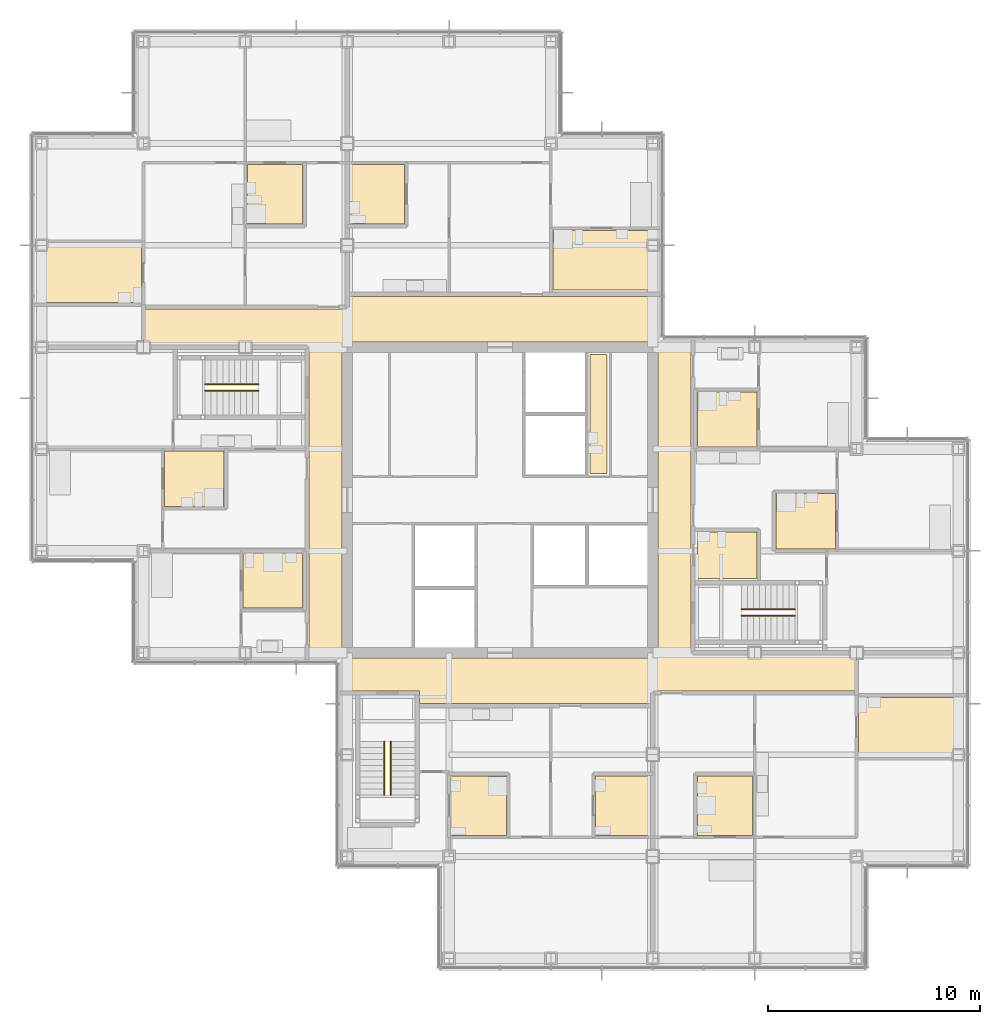
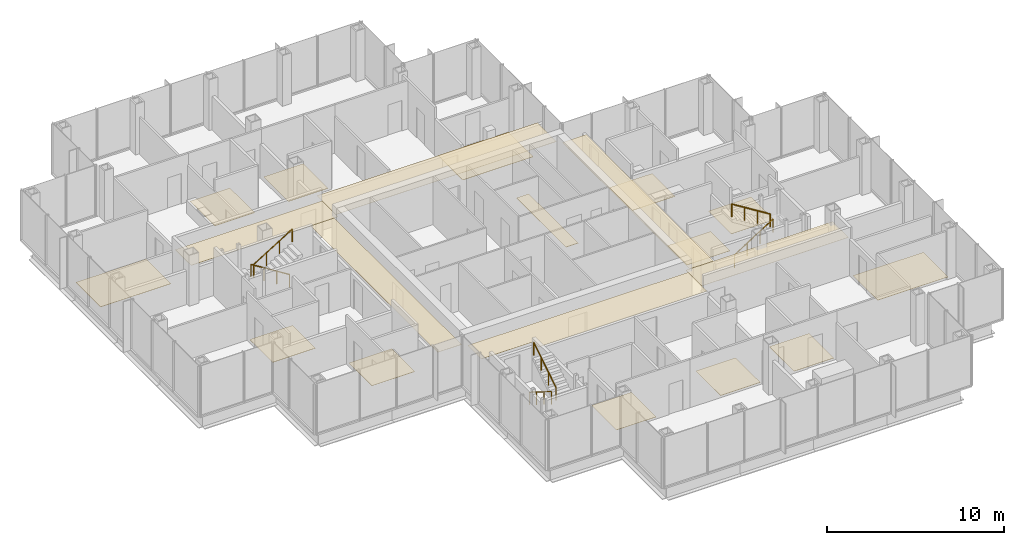
# One storey, part 18 of 20: 20 coverings, 6 railings.
"""IFC4 building model written with IfcOpenShell, lengths in metres."""

from ifc_helpers import new_model, si_unit, direction, frame, origin, origin_2d, place, context, subcontext, project, spatial, polyline, circle, outline, extrude, material, layer, layer_set, type_object, element, save


model = new_model("IFC4")

# Units and contexts
model_context = context("Model", 3, precision=1e-05, world=origin(), true_north=direction((0.0, 1.0)))
body_context = subcontext(model_context, "Body", "Model", "MODEL_VIEW")
ifc_project = project(units=[si_unit("LENGTHUNIT", "METRE"), si_unit("AREAUNIT", "SQUARE_METRE"), si_unit("VOLUMEUNIT", "CUBIC_METRE"), si_unit("PLANEANGLEUNIT", "RADIAN"), si_unit("MASSUNIT", "GRAM", prefix="KILO")], contexts=[model_context])

# Site, building, storey
site_placement = place(None, origin())
site = spatial("IfcSite", under=ifc_project, at=site_placement, CompositionType="ELEMENT")
building_placement = place(site_placement, origin())
building = spatial("IfcBuilding", under=site, at=building_placement, Name="Kvirike Care Tower", CompositionType="ELEMENT")
storey_placement = place(building_placement, frame((0.0, 0.0, 126.0)))
storey = spatial("IfcBuildingStorey", under=building, at=storey_placement, Name="L34", CompositionType="ELEMENT", Elevation=126.0)

# Coverings
ifc_material_1 = material(Name="Perforated metal ceiling tile", Category="aluminium")
ifc_layer_1 = layer(ifc_material_1, 0.014892578125)
ifc_layer_set_1 = layer_set([ifc_layer_1], Name="CORRIDOR CEILING 15")
covering_type_1 = type_object("IfcCoveringType", Name="CORRIDOR CEILING 15", PredefinedType="CEILING", material=ifc_layer_set_1)
covering_1_placement = place(storey_placement, frame((0.0, 0.0, 2.5)))
element("IfcCovering", 1, at=covering_1_placement, inside=storey, type_object=covering_type_1, Name="Corridor ceiling L34", PredefinedType="CEILING", context=body_context, shape_type="SweptSolid", body=[
    extrude(outline(polyline([(12.60009765625, 43.199951171875), (14.14990234375, 43.199951171875), (14.14990234375, 28.800048828125), (12.60009765625, 28.800048828125), (12.60009765625, 43.199951171875)])), origin(), (0.0, 0.0, 1.0), 0.014892578125),
])
covering_2_placement = place(storey_placement, frame((0.0, 0.0, 2.5)))
element("IfcCovering", 2, at=covering_2_placement, inside=storey, type_object=covering_type_1, Name="Corridor ceiling L34", PredefinedType="CEILING", context=body_context, shape_type="SweptSolid", body=[
    extrude(outline(polyline([(14.39990234375, 45.0), (14.39990234375, 43.199951171875), (4.800048828125, 43.199951171875), (4.800048828125, 45.0), (14.39990234375, 45.0)])), origin(), (0.0, 0.0, 1.0), 0.014892578125),
])
covering_3_placement = place(storey_placement, frame((0.0, 0.0, 2.5)))
element("IfcCovering", 3, at=covering_3_placement, inside=storey, type_object=covering_type_1, Name="Corridor ceiling L34", PredefinedType="CEILING", context=body_context, shape_type="SweptSolid", body=[
    extrude(outline(polyline([(14.39990234375, 28.550048828125), (28.800048828125, 28.550048828125), (28.800048828125, 26.39990234375), (17.800048828125, 26.39990234375), (17.800048828125, 27.0), (14.39990234375, 27.0), (14.39990234375, 28.550048828125)])), origin(), (0.0, 0.0, 1.0), 0.014892578125),
])
covering_4_placement = place(storey_placement, frame((0.0, 0.0, 2.5)))
element("IfcCovering", 4, at=covering_4_placement, inside=storey, type_object=covering_type_1, Name="Corridor ceiling L34", PredefinedType="CEILING", context=body_context, shape_type="SweptSolid", body=[
    extrude(outline(polyline([(28.800048828125, 45.60009765625), (28.800048828125, 43.449951171875), (14.39990234375, 43.449951171875), (14.39990234375, 45.60009765625), (28.800048828125, 45.60009765625)])), origin(), (0.0, 0.0, 1.0), 0.014892578125),
])
covering_5_placement = place(storey_placement, frame((0.0, 0.0, 2.5)))
element("IfcCovering", 5, at=covering_5_placement, inside=storey, type_object=covering_type_1, Name="Corridor ceiling L34", PredefinedType="CEILING", context=body_context, shape_type="SweptSolid", body=[
    extrude(outline(polyline([(28.800048828125, 27.0), (28.800048828125, 28.800048828125), (38.39990234375, 28.800048828125), (38.39990234375, 27.0), (28.800048828125, 27.0)])), origin(), (0.0, 0.0, 1.0), 0.014892578125),
])
covering_6_placement = place(storey_placement, frame((0.0, 0.0, 2.5)))
element("IfcCovering", 6, at=covering_6_placement, inside=storey, type_object=covering_type_1, Name="Corridor ceiling L34", PredefinedType="CEILING", context=body_context, shape_type="SweptSolid", body=[
    extrude(outline(polyline([(30.60009765625, 28.800048828125), (29.050048828125, 28.800048828125), (29.050048828125, 43.199951171875), (30.60009765625, 43.199951171875), (30.60009765625, 28.800048828125)])), origin(), (0.0, 0.0, 1.0), 0.014892578125),
])

# Railings
ifc_material_2 = material(Name="Stainless steel handrail", Category="steel")
railing_type = type_object("IfcRailingType", Name="STAIR HANDRAIL 900", PredefinedType="HANDRAIL", material=ifc_material_2)
railing_1_placement = place(storey_placement, frame((10.219970703125, 41.449951171875, 0.175048828125)))
element("IfcRailing", 7, at=railing_1_placement, inside=storey, type_object=railing_type, Name="Stair 1 handrail L34 flight 1", PredefinedType="HANDRAIL", context=body_context, shape_type="SweptSolid", body=[
    extrude(circle(Radius=0.02490234375, at=origin_2d()), frame((0.0, 0.0, 0.875), z_axis=(-0.848007534815, 0.0, 0.529984170421), x_axis=(0.0, -1.0, 0.0)), (0.0, 0.0, 1.0), 2.9716796875),
    extrude(circle(Radius=0.02001953125, at=origin_2d()), origin(), (0.0, 0.0, 1.0), 0.849853515625),
    extrude(circle(Radius=0.02001953125, at=origin_2d()), frame((-0.840087890625, 0.0, 0.52490234375)), (0.0, 0.0, 1.0), 0.849853515625),
    extrude(circle(Radius=0.02001953125, at=origin_2d()), frame((-1.679931640625, 0.0, 1.050048828125)), (0.0, 0.0, 1.0), 0.849853515625),
    extrude(circle(Radius=0.02001953125, at=origin_2d()), frame((-2.52001953125, 0.0, 1.574951171875)), (0.0, 0.0, 1.0), 0.849853515625),
])
for number, where, name in (
    (8, (7.699951171875, 41.14990234375, 1.925048828125), "Stair 1 handrail L34 flight 2"),
    (9, (32.97998046875, 30.550048828125, 0.175048828125), "Stair 2 handrail L34 flight 1"),
):
    element("IfcRailing", number, at=place(storey_placement, frame(where)), inside=storey, type_object=railing_type, Name=name, PredefinedType="HANDRAIL", context=body_context, shape_type="SweptSolid", body=[
        extrude(circle(Radius=0.02490234375, at=origin_2d()), frame((0.0, 0.0, 0.875), z_axis=(0.848007534815, 0.0, 0.529984170421), x_axis=(0.0, 1.0, 0.0)), (0.0, 0.0, 1.0), 2.9716796875),
        extrude(circle(Radius=0.02001953125, at=origin_2d()), origin(), (0.0, 0.0, 1.0), 0.849853515625),
        extrude(circle(Radius=0.02001953125, at=origin_2d()), frame((0.840087890625, 0.0, 0.52490234375)), (0.0, 0.0, 1.0), 0.849853515625),
        extrude(circle(Radius=0.02001953125, at=origin_2d()), frame((1.679931640625, 0.0, 1.050048828125)), (0.0, 0.0, 1.0), 0.849853515625),
        extrude(circle(Radius=0.02001953125, at=origin_2d()), frame((2.52001953125, 0.0, 1.574951171875)), (0.0, 0.0, 1.0), 0.849853515625),
    ])
railing_2_placement = place(storey_placement, frame((35.5, 30.85009765625, 1.925048828125)))
element("IfcRailing", 10, at=railing_2_placement, inside=storey, type_object=railing_type, Name="Stair 2 handrail L34 flight 2", PredefinedType="HANDRAIL", context=body_context, shape_type="SweptSolid", body=[
    extrude(circle(Radius=0.02490234375, at=origin_2d()), frame((0.0, 0.0, 0.875), z_axis=(-0.848007534815, 0.0, 0.529984170421), x_axis=(0.0, -1.0, 0.0)), (0.0, 0.0, 1.0), 2.9716796875),
    extrude(circle(Radius=0.02001953125, at=origin_2d()), origin(), (0.0, 0.0, 1.0), 0.849853515625),
    extrude(circle(Radius=0.02001953125, at=origin_2d()), frame((-0.840087890625, 0.0, 0.52490234375)), (0.0, 0.0, 1.0), 0.849853515625),
    extrude(circle(Radius=0.02001953125, at=origin_2d()), frame((-1.679931640625, 0.0, 1.050048828125)), (0.0, 0.0, 1.0), 0.849853515625),
    extrude(circle(Radius=0.02001953125, at=origin_2d()), frame((-2.52001953125, 0.0, 1.574951171875)), (0.0, 0.0, 1.0), 0.849853515625),
])
railing_3_placement = place(storey_placement, frame((16.14990234375, 24.6201171875, 0.175048828125)))
element("IfcRailing", 11, at=railing_3_placement, inside=storey, type_object=railing_type, Name="Stair 5 handrail L34 flight 1", PredefinedType="HANDRAIL", context=body_context, shape_type="SweptSolid", body=[
    extrude(circle(Radius=0.02490234375, at=origin_2d()), frame((0.0, 0.0, 0.875), z_axis=(0.0, -0.848007534815, 0.529984170421), x_axis=(1.0, 0.0, 0.0)), (0.0, 0.0, 1.0), 2.9716796875),
    extrude(circle(Radius=0.02001953125, at=origin_2d()), origin(), (0.0, 0.0, 1.0), 0.849853515625),
    extrude(circle(Radius=0.02001953125, at=origin_2d()), frame((0.0, -0.840087890625, 0.52490234375)), (0.0, 0.0, 1.0), 0.849853515625),
    extrude(circle(Radius=0.02001953125, at=origin_2d()), frame((0.0, -1.679931640625, 1.050048828125)), (0.0, 0.0, 1.0), 0.849853515625),
    extrude(circle(Radius=0.02001953125, at=origin_2d()), frame((0.0, -2.52001953125, 1.574951171875)), (0.0, 0.0, 1.0), 0.849853515625),
])
railing_4_placement = place(storey_placement, frame((16.449951171875, 22.10009765625, 1.925048828125)))
element("IfcRailing", 12, at=railing_4_placement, inside=storey, type_object=railing_type, Name="Stair 5 handrail L34 flight 2", PredefinedType="HANDRAIL", context=body_context, shape_type="SweptSolid", body=[
    extrude(circle(Radius=0.02490234375, at=origin_2d()), frame((0.0, 0.0, 0.875), z_axis=(0.0, 0.848007534815, 0.529984170421), x_axis=(-1.0, 0.0, 0.0)), (0.0, 0.0, 1.0), 2.9716796875),
    extrude(circle(Radius=0.02001953125, at=origin_2d()), origin(), (0.0, 0.0, 1.0), 0.849853515625),
    extrude(circle(Radius=0.02001953125, at=origin_2d()), frame((0.0, 0.840087890625, 0.52490234375)), (0.0, 0.0, 1.0), 0.849853515625),
    extrude(circle(Radius=0.02001953125, at=origin_2d()), frame((0.0, 1.679931640625, 1.050048828125)), (0.0, 0.0, 1.0), 0.849853515625),
    extrude(circle(Radius=0.02001953125, at=origin_2d()), frame((0.0, 2.52001953125, 1.574951171875)), (0.0, 0.0, 1.0), 0.849853515625),
])

# Coverings
ifc_material_3 = material(Name="Slip-resistant vinyl safety flooring on screed")
ifc_layer_2 = layer(ifc_material_3, 0.02001953125)
ifc_layer_set_2 = layer_set([ifc_layer_2], Name="WET ROOM FLOOR 20")
covering_type_2 = type_object("IfcCoveringType", Name="WET ROOM FLOOR 20", PredefinedType="FLOORING", material=ifc_layer_set_2)
covering_7_placement = place(storey_placement, origin())
element("IfcCovering", 13, at=covering_7_placement, inside=storey, type_object=covering_type_2, Name="En-suite floor L34-005", PredefinedType="FLOORING", context=body_context, shape_type="SweptSolid", body=[
    extrude(outline(polyline([(5.800048828125, 38.300048828125), (8.60009765625, 38.300048828125), (8.60009765625, 35.699951171875), (5.800048828125, 35.699951171875), (5.800048828125, 38.300048828125)])), origin(), (0.0, 0.0, 1.0), 0.02001953125),
])
covering_8_placement = place(storey_placement, origin())
element("IfcCovering", 14, at=covering_8_placement, inside=storey, type_object=covering_type_2, Name="En-suite floor L34-009", PredefinedType="FLOORING", context=body_context, shape_type="SweptSolid", body=[
    extrude(outline(polyline([(9.5, 33.5), (12.300048828125, 33.5), (12.300048828125, 30.89990234375), (9.5, 30.89990234375), (9.5, 33.5)])), origin(), (0.0, 0.0, 1.0), 0.02001953125),
])
covering_9_placement = place(storey_placement, origin())
element("IfcCovering", 15, at=covering_9_placement, inside=storey, type_object=covering_type_2, Name="En-suite floor L34-014", PredefinedType="FLOORING", context=body_context, shape_type="SweptSolid", body=[
    extrude(outline(polyline([(12.300048828125, 51.800048828125), (12.300048828125, 49.0), (9.699951171875, 49.0), (9.699951171875, 51.800048828125), (12.300048828125, 51.800048828125)])), origin(), (0.0, 0.0, 1.0), 0.02001953125),
])
covering_10_placement = place(storey_placement, origin())
element("IfcCovering", 16, at=covering_10_placement, inside=storey, type_object=covering_type_2, Name="Accessible WC floor L34-015", PredefinedType="FLOORING", context=body_context, shape_type="SweptSolid", body=[
    extrude(outline(polyline([(4.699951171875, 48.10009765625), (4.699951171875, 45.300048828125), (0.10009765625, 45.300048828125), (0.10009765625, 48.10009765625), (4.699951171875, 48.10009765625)])), origin(), (0.0, 0.0, 1.0), 0.02001953125),
])
covering_11_placement = place(storey_placement, origin())
element("IfcCovering", 17, at=covering_11_placement, inside=storey, type_object=covering_type_2, Name="Accessible WC floor L34-022", PredefinedType="FLOORING", context=body_context, shape_type="SweptSolid", body=[
    extrude(outline(polyline([(26.10009765625, 20.199951171875), (26.10009765625, 23.0), (28.699951171875, 23.0), (28.699951171875, 20.199951171875), (26.10009765625, 20.199951171875)])), origin(), (0.0, 0.0, 1.0), 0.02001953125),
])
covering_12_placement = place(storey_placement, origin())
element("IfcCovering", 18, at=covering_12_placement, inside=storey, type_object=covering_type_2, Name="En-suite floor L34-023", PredefinedType="FLOORING", context=body_context, shape_type="SweptSolid", body=[
    extrude(outline(polyline([(19.300048828125, 20.199951171875), (19.300048828125, 23.0), (21.89990234375, 23.0), (21.89990234375, 20.199951171875), (19.300048828125, 20.199951171875)])), origin(), (0.0, 0.0, 1.0), 0.02001953125),
])
covering_13_placement = place(storey_placement, origin())
element("IfcCovering", 19, at=covering_13_placement, inside=storey, type_object=covering_type_2, Name="En-suite floor L34-029", PredefinedType="FLOORING", context=body_context, shape_type="SweptSolid", body=[
    extrude(outline(polyline([(28.699951171875, 48.699951171875), (28.699951171875, 45.89990234375), (24.10009765625, 45.89990234375), (24.10009765625, 48.699951171875), (28.699951171875, 48.699951171875)])), origin(), (0.0, 0.0, 1.0), 0.02001953125),
])
covering_14_placement = place(storey_placement, origin())
element("IfcCovering", 20, at=covering_14_placement, inside=storey, type_object=covering_type_2, Name="Accessible WC floor L34-030", PredefinedType="FLOORING", context=body_context, shape_type="SweptSolid", body=[
    extrude(outline(polyline([(17.10009765625, 51.800048828125), (17.10009765625, 49.0), (14.5, 49.0), (14.5, 51.800048828125), (17.10009765625, 51.800048828125)])), origin(), (0.0, 0.0, 1.0), 0.02001953125),
])
covering_15_placement = place(storey_placement, origin())
element("IfcCovering", 21, at=covering_15_placement, inside=storey, type_object=covering_type_2, Name="En-suite floor L34-036", PredefinedType="FLOORING", context=body_context, shape_type="SweptSolid", body=[
    extrude(outline(polyline([(30.89990234375, 20.199951171875), (30.89990234375, 23.0), (33.5, 23.0), (33.5, 20.199951171875), (30.89990234375, 20.199951171875)])), origin(), (0.0, 0.0, 1.0), 0.02001953125),
])
covering_16_placement = place(storey_placement, origin())
element("IfcCovering", 22, at=covering_16_placement, inside=storey, type_object=covering_type_2, Name="Accessible WC floor L34-037", PredefinedType="FLOORING", context=body_context, shape_type="SweptSolid", body=[
    extrude(outline(polyline([(38.5, 23.89990234375), (38.5, 26.699951171875), (43.10009765625, 26.699951171875), (43.10009765625, 23.89990234375), (38.5, 23.89990234375)])), origin(), (0.0, 0.0, 1.0), 0.02001953125),
])
covering_17_placement = place(storey_placement, origin())
element("IfcCovering", 23, at=covering_17_placement, inside=storey, type_object=covering_type_2, Name="Accessible WC floor L34-044", PredefinedType="FLOORING", context=body_context, shape_type="SweptSolid", body=[
    extrude(outline(polyline([(33.699951171875, 32.300048828125), (30.89990234375, 32.300048828125), (30.89990234375, 34.5), (33.699951171875, 34.5), (33.699951171875, 32.300048828125)])), origin(), (0.0, 0.0, 1.0), 0.02001953125),
])
covering_18_placement = place(storey_placement, origin())
element("IfcCovering", 24, at=covering_18_placement, inside=storey, type_object=covering_type_2, Name="En-suite floor L34-045", PredefinedType="FLOORING", context=body_context, shape_type="SweptSolid", body=[
    extrude(outline(polyline([(37.39990234375, 33.699951171875), (34.60009765625, 33.699951171875), (34.60009765625, 36.300048828125), (37.39990234375, 36.300048828125), (37.39990234375, 33.699951171875)])), origin(), (0.0, 0.0, 1.0), 0.02001953125),
])
covering_19_placement = place(storey_placement, origin())
element("IfcCovering", 25, at=covering_19_placement, inside=storey, type_object=covering_type_2, Name="En-suite floor L34-048", PredefinedType="FLOORING", context=body_context, shape_type="SweptSolid", body=[
    extrude(outline(polyline([(33.699951171875, 38.5), (30.89990234375, 38.5), (30.89990234375, 41.10009765625), (33.699951171875, 41.10009765625), (33.699951171875, 38.5)])), origin(), (0.0, 0.0, 1.0), 0.02001953125),
])
covering_20_placement = place(storey_placement, origin())
element("IfcCovering", 26, at=covering_20_placement, inside=storey, type_object=covering_type_2, Name="Staff WC floor L34-056", PredefinedType="FLOORING", context=body_context, shape_type="SweptSolid", body=[
    extrude(outline(polyline([(26.64990234375, 37.25), (25.85009765625, 37.25), (25.85009765625, 42.85009765625), (26.64990234375, 42.85009765625), (26.64990234375, 37.25)])), origin(), (0.0, 0.0, 1.0), 0.02001953125),
])

save(model, "model.ifc")
